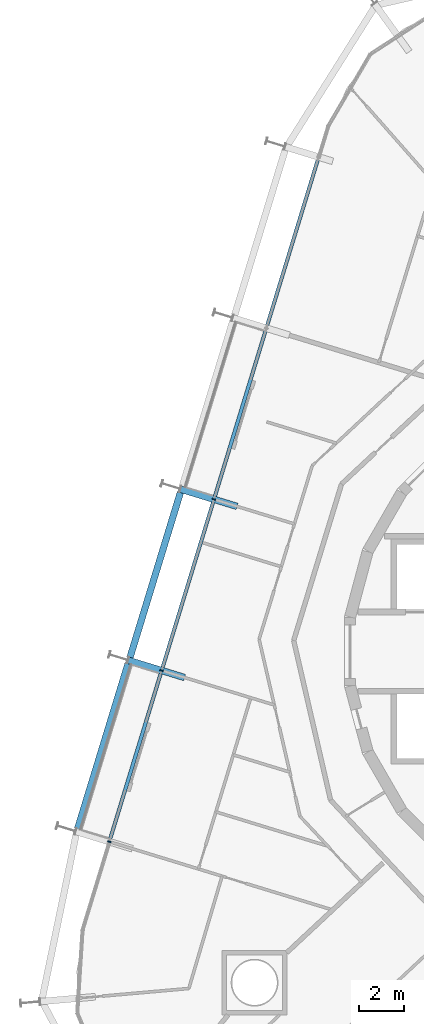
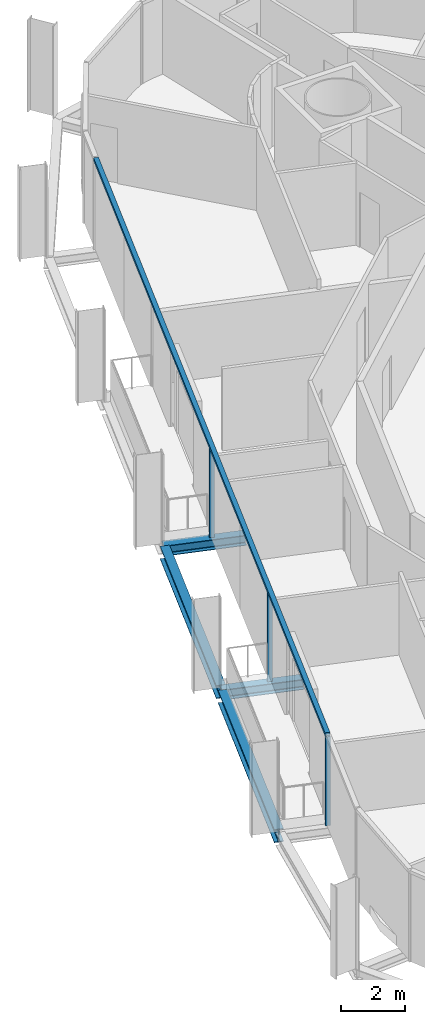
# One storey, part 5 of 18: 4 beams, 4 members, 2 elements without a shape of their own.
"""IFC4 building model written with IfcOpenShell, lengths in metres."""

from ifc_helpers import new_model, si_unit, direction, frame, origin, origin_2d, place, context, subcontext, project, spatial, rectangle, i_section, extrude, material, layer, layer_set, material_profile, profile_set, type_object, element, aggregate, save


model = new_model("IFC4")

# Units and contexts
model_context = context("Model", 3, precision=1e-05, world=origin(), true_north=direction((0.0, 1.0)))
body_context = subcontext(model_context, "Body", "Model", "MODEL_VIEW")
ifc_project = project(units=[si_unit("LENGTHUNIT", "METRE"), si_unit("AREAUNIT", "SQUARE_METRE"), si_unit("VOLUMEUNIT", "CUBIC_METRE"), si_unit("PLANEANGLEUNIT", "RADIAN"), si_unit("MASSUNIT", "GRAM", prefix="KILO")], contexts=[model_context])

# Site, building, storey
site_placement = place(None, origin())
site = spatial("IfcSite", under=ifc_project, at=site_placement, CompositionType="ELEMENT")
building_placement = place(site_placement, origin())
building = spatial("IfcBuilding", under=site, at=building_placement, Name="Spindle Arch Residences", CompositionType="ELEMENT")
storey_placement = place(building_placement, frame((0.0, 0.0, 123.89990234375)))
storey = spatial("IfcBuildingStorey", under=building, at=storey_placement, Name="L30", CompositionType="ELEMENT", Elevation=123.89990234375)

# Curtain wall, members
ifc_material_1 = material(Name="Aluminium bronze unitised frame with tinted glass", Category="aluminium")
ifc_layer_1 = layer(ifc_material_1, 0.159912109375)
ifc_layer_set_1 = layer_set([ifc_layer_1], Name="CW-C typical residential unitised wall")
curtain_wall_type_1 = type_object("IfcCurtainWallType", Name="CW-C typical residential unitised wall", PredefinedType="NOTDEFINED", material=ifc_layer_set_1)
curtain_wall_1_placement = place(storey_placement, origin())
curtain_wall_1 = element("IfcCurtainWall", 1, at=curtain_wall_1_placement, inside=storey, type_object=curtain_wall_type_1, Name="CW-C L30 run 4", PredefinedType="NOTDEFINED")
ifc_material_2 = material(Name="Aluminium bronze anodised mullion", Category="aluminium")
ifc_material_profile_1 = material_profile(ifc_material_2, rectangle(XDim=0.159912109375, YDim=0.06005859375, at=origin_2d()), Name="MU 60x160")
ifc_profile_set_1 = profile_set([ifc_material_profile_1], Name="Aluminium bronze anodised mullion")
member_type_1 = type_object("IfcMemberType", Name="Bronze mullion 60x160", PredefinedType="MULLION", material=ifc_profile_set_1)
member_1_placement = place(storey_placement, frame((-17.750732421875, 6.826171875, -0.3798828125), z_axis=(0.0, 0.0, 1.0), x_axis=(0.956304755963, -0.292371704723, 0.0)))
member_1 = element("IfcMember", 2, at=member_1_placement, type_object=member_type_1, Name="CW-C mullion 14", PredefinedType="MULLION", context=body_context, shape_type="SweptSolid", body=[
    extrude(rectangle(XDim=0.159912109375, YDim=0.06005859375, at=origin_2d()), origin(), (0.0, 0.0, 1.0), 3.3798828125),
])
member_2_placement = place(storey_placement, frame((-20.09814453125, -0.85205078125, -0.3798828125), z_axis=(0.0, 0.0, 1.0), x_axis=(0.956304755963, -0.292371704723, 0.0)))
member_2 = element("IfcMember", 3, at=member_2_placement, type_object=member_type_1, Name="CW-C mullion 15", PredefinedType="MULLION", context=body_context, shape_type="SweptSolid", body=[
    extrude(rectangle(XDim=0.159912109375, YDim=0.06005859375, at=origin_2d()), origin(), (0.0, 0.0, 1.0), 3.3798828125),
])

# Curtain wall, member
ifc_material_3 = material(Name="Aluminium bronze unitised frame with tinted glass", Category="aluminium")
ifc_layer_2 = layer(ifc_material_3, 0.159912109375)
ifc_layer_set_2 = layer_set([ifc_layer_2], Name="CW-D corner wall on the fillet arcs")
curtain_wall_type_2 = type_object("IfcCurtainWallType", Name="CW-D corner wall on the fillet arcs", PredefinedType="NOTDEFINED", material=ifc_layer_set_2)
curtain_wall_2_placement = place(storey_placement, origin())
curtain_wall_2 = element("IfcCurtainWall", 4, at=curtain_wall_2_placement, inside=storey, type_object=curtain_wall_type_2, Name="CW-D L30 run 5", PredefinedType="NOTDEFINED")
member_3_placement = place(storey_placement, frame((-22.44580078125, -8.5302734375, -0.3798828125), z_axis=(0.0, 0.0, 1.0), x_axis=(0.956304755963, -0.292371704723, 0.0)))
member_3 = element("IfcMember", 5, at=member_3_placement, type_object=member_type_1, Name="CW-D mullion 00", PredefinedType="MULLION", context=body_context, shape_type="SweptSolid", body=[
    extrude(rectangle(XDim=0.159912109375, YDim=0.06005859375, at=origin_2d()), origin(), (0.0, 0.0, 1.0), 3.3798828125),
])
aggregate(curtain_wall_2, [member_3])

# Member
ifc_material_4 = material(Name="Aluminium bronze anodised transom", Category="aluminium")
ifc_material_profile_2 = material_profile(ifc_material_4, rectangle(XDim=0.159912109375, YDim=0.1201171875, at=origin_2d()), Name="TR 120x160")
ifc_profile_set_2 = profile_set([ifc_material_profile_2], Name="Aluminium bronze anodised transom")
member_type_2 = type_object("IfcMemberType", Name="Bronze transom 120x160", PredefinedType="USERDEFINED", material=ifc_profile_set_2)
member_4_placement = place(storey_placement, frame((-13.064453125, 22.154296875, 3.06005859375), z_axis=(-0.292373902287, -0.956304084097, 0.0), x_axis=(0.956304084097, -0.292373902287, 0.0)))
member_4 = element("IfcMember", 6, at=member_4_placement, type_object=member_type_2, Name="CW-C transom 00", ObjectType="TRANSOM", PredefinedType="USERDEFINED", context=body_context, shape_type="SweptSolid", body=[
    extrude(rectangle(XDim=0.159912109375, YDim=0.1201171875, at=origin_2d()), origin(), (0.0, 0.0, 1.0), 32.056640625),
])

aggregate(curtain_wall_1, [member_4, member_1, member_2])

# Beams
ifc_material_5 = material(Name="Steel S460ML, intumescent coating R 120", Category="steel")
ifc_material_profile_3 = material_profile(ifc_material_5, i_section(OverallWidth=0.300048828125, OverallDepth=0.5, WebThickness=0.014404296875, FlangeThickness=0.028076171875, FilletRadius=0.027099609375, at=origin_2d()), Name="HEB 500")
ifc_profile_set_3 = profile_set([ifc_material_profile_3], Name="Steel S460ML, intumescent coating R 120")
beam_type_1 = type_object("IfcBeamType", Name="Exoskeleton edge beam HEB 500", PredefinedType="BEAM", material=ifc_profile_set_3)
beam_1_placement = place(storey_placement, frame((-19.251708984375, 7.1494140625, -0.6298828125), z_axis=(-0.292363030977, -0.95630740775, 0.0), x_axis=(0.95630740775, -0.292363030977, 0.0)))
element("IfcBeam", 7, at=beam_1_placement, inside=storey, type_object=beam_type_1, Name="Exoskeleton edge beam 15", PredefinedType="BEAM", context=body_context, shape_type="SweptSolid", body=[
    extrude(i_section(OverallWidth=0.300048828125, OverallDepth=0.5, WebThickness=0.014404296875, FlangeThickness=0.028076171875, FilletRadius=0.027099609375, at=origin_2d()), origin(), (0.0, 0.0, 1.0), 7.769287109375),
])
beam_2_placement = place(storey_placement, frame((-21.599365234375, -0.529052734375, -0.6298828125), z_axis=(-0.292371816855, -0.956304721681, 0.0), x_axis=(0.956304721681, -0.292371816855, 0.0)))
element("IfcBeam", 8, at=beam_2_placement, inside=storey, type_object=beam_type_1, Name="Exoskeleton edge beam 16", PredefinedType="BEAM", context=body_context, shape_type="SweptSolid", body=[
    extrude(i_section(OverallWidth=0.300048828125, OverallDepth=0.5, WebThickness=0.014404296875, FlangeThickness=0.028076171875, FilletRadius=0.027099609375, at=origin_2d()), origin(), (0.0, 0.0, 1.0), 7.76904296875),
])
ifc_material_6 = material(Name="Steel S460ML, intumescent coating R 120", Category="steel")
ifc_material_profile_4 = material_profile(ifc_material_6, i_section(OverallWidth=0.300048828125, OverallDepth=0.389892578125, WebThickness=0.010986328125, FlangeThickness=0.01904296875, FilletRadius=0.027099609375, at=origin_2d()), Name="HEA 400")
ifc_profile_set_4 = profile_set([ifc_material_profile_4], Name="Steel S460ML, intumescent coating R 120")
beam_type_2 = type_object("IfcBeamType", Name="Floor outrigger HEA 400", PredefinedType="BEAM", material=ifc_profile_set_4)
for number, where, z_axis, x_axis, name in (
    (9, (-19.252197265625, 7.285400390625, -0.574951171875), (0.956291475666, -0.292415139091, 0.0), (0.292415139091, 0.956291475666, 0.0), "Floor outrigger 15"),
    (10, (-21.599609375, -0.39306640625, -0.574951171875), (0.956291475666, -0.292415139091, 0.0), (0.292415139091, 0.956291475666, 0.0), "Floor outrigger 16"),
):
    element("IfcBeam", number, at=place(storey_placement, frame(where, z_axis=z_axis, x_axis=x_axis)), inside=storey, type_object=beam_type_2, Name=name, PredefinedType="BEAM", context=body_context, shape_type="SweptSolid", body=[
        extrude(i_section(OverallWidth=0.300048828125, OverallDepth=0.389892578125, WebThickness=0.010986328125, FlangeThickness=0.01904296875, FilletRadius=0.027099609375, at=origin_2d()), origin(), (0.0, 0.0, 1.0), 2.64990234375),
    ])

save(model, "model.ifc")
